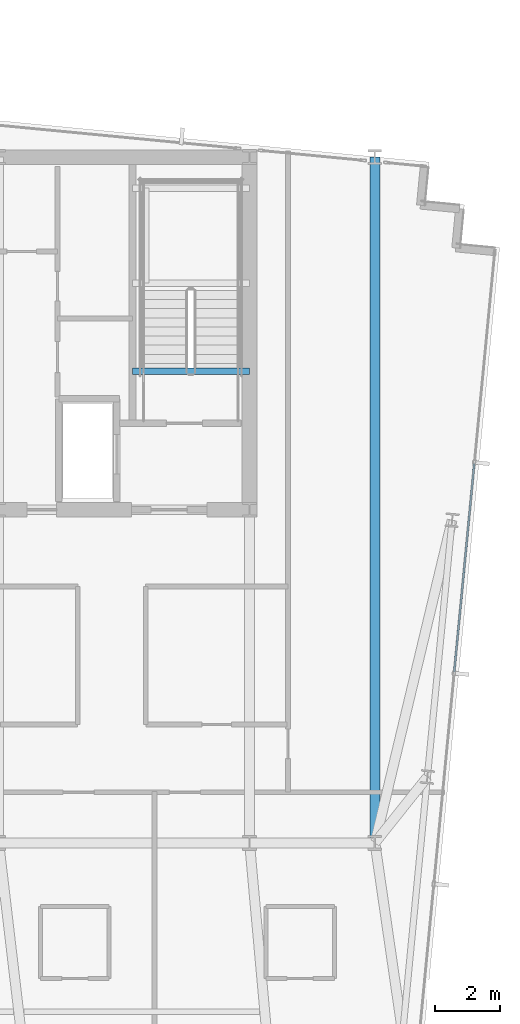
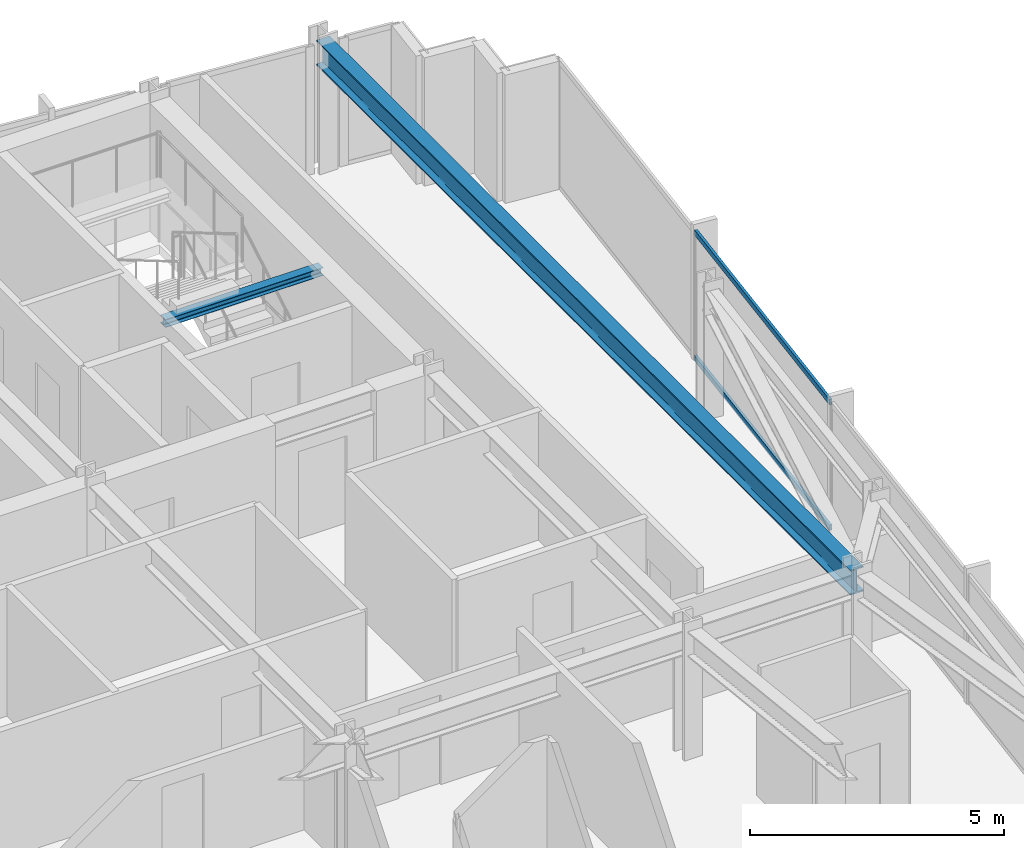
# One storey, part 19 of 38: 2 beams, 2 members, 1 element without a shape of its own.
"""IFC4 building model written with IfcOpenShell, lengths in metres."""

from ifc_helpers import new_model, si_unit, direction, frame, origin, origin_2d, place, context, subcontext, project, spatial, hollow_rectangle, i_section, extrude, material, material_profile, profile_set, type_object, element, aggregate, save


model = new_model("IFC4")

# Units and contexts
model_context = context("Model", 3, precision=1e-05, world=origin(), true_north=direction((0.0, 1.0)))
body_context = subcontext(model_context, "Body", "Model", "MODEL_VIEW")
ifc_project = project(units=[si_unit("LENGTHUNIT", "METRE"), si_unit("AREAUNIT", "SQUARE_METRE"), si_unit("VOLUMEUNIT", "CUBIC_METRE"), si_unit("PLANEANGLEUNIT", "RADIAN"), si_unit("MASSUNIT", "GRAM", prefix="KILO")], contexts=[model_context])

# Site, building, storey
site_placement = place(None, origin())
site = spatial("IfcSite", under=ifc_project, at=site_placement, CompositionType="ELEMENT")
building_placement = place(site_placement, origin())
building = spatial("IfcBuilding", under=site, at=building_placement, Name="Yelkora Congress Tower", CompositionType="ELEMENT")
storey_placement = place(building_placement, frame((0.0, 0.0, 172.10009765625)))
storey = spatial("IfcBuildingStorey", under=building, at=storey_placement, Name="L47", CompositionType="ELEMENT", Elevation=172.10009765625)

# Beams
ifc_material_1 = material(Name="Steel S355J2", Category="steel")
ifc_material_profile_1 = material_profile(ifc_material_1, i_section(OverallWidth=0.300048828125, OverallDepth=0.60009765625, WebThickness=0.015380859375, FlangeThickness=0.030029296875, FilletRadius=0.027099609375, at=origin_2d()), Name="HEB 600")
ifc_profile_set_1 = profile_set([ifc_material_profile_1], Name="Steel S355J2")
beam_type_1 = type_object("IfcBeamType", Name="BM-GIRD-HEB600", PredefinedType="BEAM", material=ifc_profile_set_1)
beam_1_placement = place(storey_placement, frame((57.60009765625, 25.199951171875, 2.77978515625), z_axis=(0.0, 1.0, 0.0), x_axis=(-1.0, 0.0, 0.0)))
element("IfcBeam", 1, at=beam_1_placement, inside=storey, type_object=beam_type_1, Name="L47 Neck Flank Girder MC-F2", PredefinedType="BEAM", context=body_context, shape_type="SweptSolid", body=[
    extrude(i_section(OverallWidth=0.300048828125, OverallDepth=0.60009765625, WebThickness=0.015380859375, FlangeThickness=0.030029296875, FilletRadius=0.027099609375, at=origin_2d()), origin(), (0.0, 0.0, 1.0), 21.0),
])
ifc_material_profile_2 = material_profile(ifc_material_1, i_section(OverallWidth=0.199951171875, OverallDepth=0.18994140625, WebThickness=0.006591796875, FlangeThickness=0.010009765625, FilletRadius=0.01806640625, at=origin_2d()), Name="HEA 200")
ifc_profile_set_2 = profile_set([ifc_material_profile_2], Name="Steel S355J2")
beam_type_2 = type_object("IfcBeamType", Name="BM-LAND-HEA200", PredefinedType="BEAM", material=ifc_profile_set_2)
beam_2_placement = place(storey_placement, frame((50.179931640625, 39.639892578125, 2.853759765625), z_axis=(1.0, 0.0, 0.0), x_axis=(0.0, 1.0, 0.0)))
element("IfcBeam", 2, at=beam_2_placement, inside=storey, type_object=beam_type_2, Name="ST-02 L47 Floor Arrival Stringer Header Beam", PredefinedType="BEAM", context=body_context, shape_type="SweptSolid", body=[
    extrude(i_section(OverallWidth=0.199951171875, OverallDepth=0.18994140625, WebThickness=0.006591796875, FlangeThickness=0.010009765625, FilletRadius=0.01806640625, at=origin_2d()), origin(), (0.0, 0.0, 1.0), 3.580078125),
])

# Curtain wall, members
ifc_material_2 = material(Name="Anodised aluminium and insulated glass", Category="aluminium")
curtain_wall_type = type_object("IfcCurtainWallType", Name="CW-SYS-B3", PredefinedType="NOTDEFINED", material=ifc_material_2)
curtain_wall_placement = place(storey_placement, origin())
curtain_wall = element("IfcCurtainWall", 3, at=curtain_wall_placement, inside=storey, type_object=curtain_wall_type, Name="L47 Unitised Curtain Wall 15", PredefinedType="NOTDEFINED")
ifc_material_3 = material(Name="Anodised aluminium 6063-T6", Category="aluminium")
ifc_material_profile_3 = material_profile(ifc_material_3, hollow_rectangle(XDim=0.06005859375, YDim=0.1298828125, WallThickness=0.00390625, at=origin_2d()), Name="ALU 60x130x4")
ifc_profile_set_3 = profile_set([ifc_material_profile_3], Name="Anodised aluminium 6063-T6")
member_type = type_object("IfcMemberType", Name="MEM-TR-B3", PredefinedType="USERDEFINED", material=ifc_profile_set_3)
member_1_placement = place(storey_placement, frame((60.642822265625, 36.81494140625, 0.02978515625), z_axis=(-0.095843682057, -0.995396397728, 0.0), x_axis=(0.995396397728, -0.095843682057, 0.0)))
member_1 = element("IfcMember", 4, at=member_1_placement, type_object=member_type, Name="CW-B3 transom 2.1", ObjectType="TRANSOM", PredefinedType="USERDEFINED", context=body_context, shape_type="SweptSolid", body=[
    extrude(hollow_rectangle(XDim=0.06005859375, YDim=0.1298828125, WallThickness=0.00390625, at=origin_2d()), origin(), (0.0, 0.0, 1.0), 6.4140625),
])
member_2_placement = place(storey_placement, frame((60.642822265625, 36.81494140625, 3.0498046875), z_axis=(-0.095843682057, -0.995396397728, 0.0), x_axis=(0.995396397728, -0.095843682057, 0.0)))
member_2 = element("IfcMember", 5, at=member_2_placement, type_object=member_type, Name="CW-B3 transom 2.2", ObjectType="TRANSOM", PredefinedType="USERDEFINED", context=body_context, shape_type="SweptSolid", body=[
    extrude(hollow_rectangle(XDim=0.06005859375, YDim=0.1298828125, WallThickness=0.00390625, at=origin_2d()), origin(), (0.0, 0.0, 1.0), 6.4140625),
])
aggregate(curtain_wall, [member_1, member_2])

save(model, "model.ifc")
